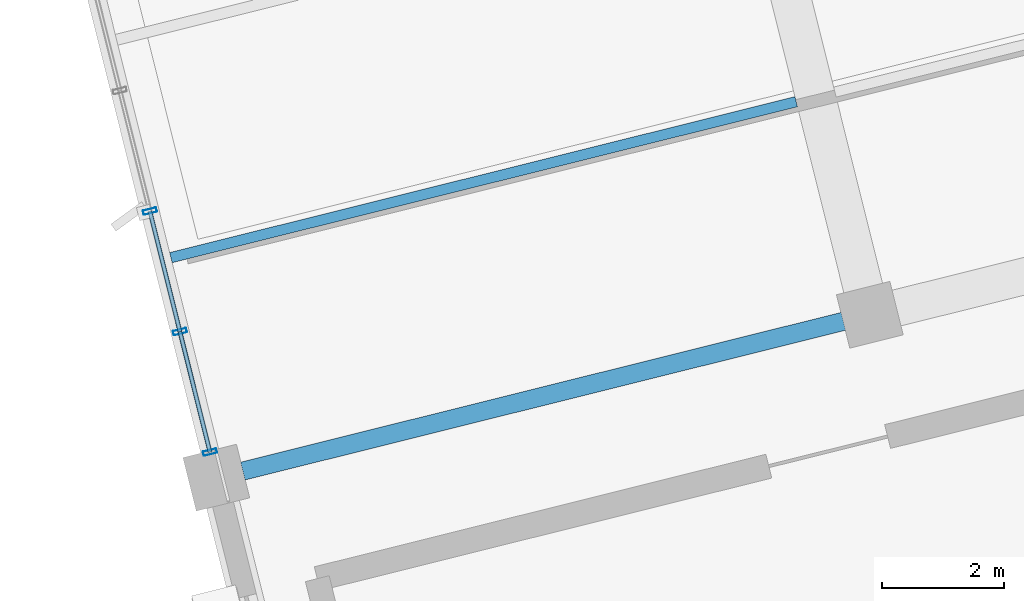
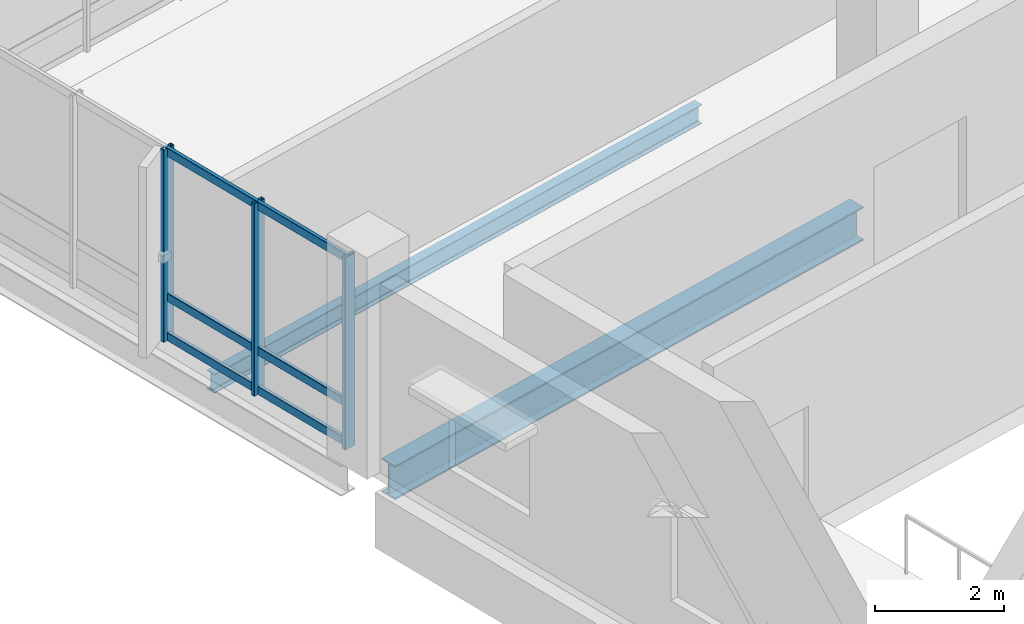
# One storey, part 2 of 22: 9 members, 2 beams, 1 element without a shape of its own.
"""IFC4 building model written with IfcOpenShell, lengths in metres."""

from ifc_helpers import new_model, si_unit, direction, frame, origin, origin_2d, place, context, subcontext, project, spatial, hollow_rectangle, i_section, extrude, material, layer, layer_set, material_profile, profile_set, type_object, element, aggregate, save


model = new_model("IFC4")

# Units and contexts
model_context = context("Model", 3, precision=1e-05, world=origin(), true_north=direction((0.0, 1.0)))
body_context = subcontext(model_context, "Body", "Model", "MODEL_VIEW")
ifc_project = project(units=[si_unit("LENGTHUNIT", "METRE"), si_unit("AREAUNIT", "SQUARE_METRE"), si_unit("VOLUMEUNIT", "CUBIC_METRE"), si_unit("PLANEANGLEUNIT", "RADIAN"), si_unit("MASSUNIT", "GRAM", prefix="KILO")], contexts=[model_context])

# Site, building, storey
site_placement = place(None, origin())
site = spatial("IfcSite", under=ifc_project, at=site_placement, CompositionType="ELEMENT")
building_placement = place(site_placement, origin())
building = spatial("IfcBuilding", under=site, at=building_placement, Name="Khorjan Park Terminus", CompositionType="ELEMENT")
storey_placement = place(building_placement, frame((0.0, 0.0, 24.6)))
storey = spatial("IfcBuildingStorey", under=building, at=storey_placement, Name="L05", CompositionType="ELEMENT", Elevation=24.6)

# Beams
ifc_material_1 = material(Name="Steel S355", Category="steel")
ifc_material_profile_1 = material_profile(ifc_material_1, i_section(OverallWidth=0.3, OverallDepth=0.64, WebThickness=0.0135, FlangeThickness=0.026, FilletRadius=0.027, at=origin_2d()), Name="HEA 650")
ifc_profile_set_1 = profile_set([ifc_material_profile_1], Name="Steel S355")
beam_type_1 = type_object("IfcBeamType", Name="BM-HEA650", PredefinedType="BEAM", material=ifc_profile_set_1)
beam_1_placement = place(storey_placement, frame((174.4439, 15.442, -0.65), z_axis=(0.970294168541, 0.241928143249, 0.0), x_axis=(-0.241928143249, 0.970294168541, 0.0)))
element("IfcBeam", 1, at=beam_1_placement, inside=storey, type_object=beam_type_1, Name="Primary skew-grid floor girder SB-A65 (L05)", PredefinedType="BEAM", context=body_context, shape_type="SweptSolid", body=[
    extrude(i_section(OverallWidth=0.3, OverallDepth=0.64, WebThickness=0.0135, FlangeThickness=0.026, FilletRadius=0.027, at=origin_2d()), origin(), (0.0, 0.0, 1.0), 10.11),
])
ifc_material_profile_2 = material_profile(ifc_material_1, i_section(OverallWidth=0.17, OverallDepth=0.36, WebThickness=0.008, FlangeThickness=0.0127, FilletRadius=0.018, at=origin_2d()), Name="IPE 360")
ifc_profile_set_2 = profile_set([ifc_material_profile_2], Name="Steel S355")
beam_type_2 = type_object("IfcBeamType", Name="JS-IPE360", PredefinedType="JOIST", material=ifc_profile_set_2)
beam_2_placement = place(storey_placement, frame((173.2706, 18.9285, -0.51), z_axis=(0.970296558074, 0.241918559415, 0.0), x_axis=(-0.241918559415, 0.970296558074, 0.0)))
element("IfcBeam", 2, at=beam_2_placement, inside=storey, type_object=beam_type_2, Name="Secondary composite floor joist SJ-36 (L05)", PredefinedType="JOIST", context=body_context, shape_type="SweptSolid", body=[
    extrude(i_section(OverallWidth=0.17, OverallDepth=0.36, WebThickness=0.008, FlangeThickness=0.0127, FilletRadius=0.018, at=origin_2d()), origin(), (0.0, 0.0, 1.0), 10.525),
])

# Curtain wall, members
ifc_material_2 = material(Name="Anodized Bronze Aluminium", Category="aluminium")
ifc_layer = layer(ifc_material_2, 0.22)
ifc_layer_set = layer_set([ifc_layer], Name="Anodized Bronze Aluminium")
curtain_wall_type = type_object("IfcCurtainWallType", Name="CW-OPS-B", PredefinedType="NOTDEFINED", material=ifc_layer_set)
curtain_wall_placement = place(storey_placement, origin())
curtain_wall = element("IfcCurtainWall", 3, at=curtain_wall_placement, inside=storey, type_object=curtain_wall_type, Name="Unitized curtain wall CW-B (CW-V5-W-L05-B01)", PredefinedType="NOTDEFINED")
ifc_material_profile_3 = material_profile(ifc_material_2, hollow_rectangle(XDim=0.075, YDim=0.225, WallThickness=0.005, InnerFilletRadius=0.005, OuterFilletRadius=0.01, at=origin_2d()), Name="ALM 75x225x5")
ifc_profile_set_3 = profile_set([ifc_material_profile_3], Name="Anodized Bronze Aluminium")
member_type_1 = type_object("IfcMemberType", Name="ML-ALM-225", PredefinedType="MULLION", material=ifc_profile_set_3)
member_1_placement = place(storey_placement, frame((172.9269, 19.6871, -0.035), z_axis=(0.0, 0.0, 1.0), x_axis=(0.241927656308, -0.970294289952, 0.0)))
member_1 = element("IfcMember", 4, at=member_1_placement, type_object=member_type_1, Name="Curtain-wall mullion ML-22 (CW-V5-W-L05-B01-3)", PredefinedType="MULLION", context=body_context, shape_type="SweptSolid", body=[
    extrude(hollow_rectangle(XDim=0.075, YDim=0.225, WallThickness=0.005, InnerFilletRadius=0.005, OuterFilletRadius=0.01, at=origin_2d()), origin(), (0.0, 0.0, 1.0), 3.645),
])
member_2_placement = place(storey_placement, frame((173.4175, 17.7192, -0.035), z_axis=(0.0, 0.0, 1.0), x_axis=(0.241927656308, -0.970294289952, 0.0)))
member_2 = element("IfcMember", 5, at=member_2_placement, type_object=member_type_1, Name="Curtain-wall mullion ML-22 (CW-V5-W-L05-B01-4)", PredefinedType="MULLION", context=body_context, shape_type="SweptSolid", body=[
    extrude(hollow_rectangle(XDim=0.075, YDim=0.225, WallThickness=0.005, InnerFilletRadius=0.005, OuterFilletRadius=0.01, at=origin_2d()), origin(), (0.0, 0.0, 1.0), 3.645),
])
member_3_placement = place(storey_placement, frame((173.9082, 15.7513, -0.035), z_axis=(0.0, 0.0, 1.0), x_axis=(0.241927656308, -0.970294289952, 0.0)))
member_3 = element("IfcMember", 6, at=member_3_placement, type_object=member_type_1, Name="Curtain-wall mullion ML-22 (CW-V5-W-L05-B01-5)", PredefinedType="MULLION", context=body_context, shape_type="SweptSolid", body=[
    extrude(hollow_rectangle(XDim=0.075, YDim=0.225, WallThickness=0.005, InnerFilletRadius=0.005, OuterFilletRadius=0.01, at=origin_2d()), origin(), (0.0, 0.0, 1.0), 3.645),
])
ifc_material_profile_4 = material_profile(ifc_material_2, hollow_rectangle(XDim=0.07, YDim=0.16, WallThickness=0.004, InnerFilletRadius=0.004, OuterFilletRadius=0.008, at=origin_2d()), Name="ALT 70x160x4")
ifc_profile_set_4 = profile_set([ifc_material_profile_4], Name="Anodized Bronze Aluminium")
member_type_2 = type_object("IfcMemberType", Name="TR-ALT-160", PredefinedType="USERDEFINED", material=ifc_profile_set_4)
member_4_placement = place(storey_placement, frame((172.9269, 19.6871, 0.04), z_axis=(0.241897488986, -0.970301811202, 0.0), x_axis=(0.970301811202, 0.241897488986, 0.0)))
member_4 = element("IfcMember", 7, at=member_4_placement, type_object=member_type_2, Name="Curtain-wall transom TR-16 (CW-V5-W-L05-B01-3-1)", ObjectType="TRANSOM", PredefinedType="USERDEFINED", context=body_context, shape_type="SweptSolid", body=[
    extrude(hollow_rectangle(XDim=0.07, YDim=0.16, WallThickness=0.004, InnerFilletRadius=0.004, OuterFilletRadius=0.008, at=origin_2d()), origin(), (0.0, 0.0, 1.0), 2.0281),
])
member_5_placement = place(storey_placement, frame((172.9269, 19.6871, 0.786), z_axis=(0.241897488986, -0.970301811202, 0.0), x_axis=(0.970301811202, 0.241897488986, 0.0)))
member_5 = element("IfcMember", 8, at=member_5_placement, type_object=member_type_2, Name="Curtain-wall transom TR-16 (CW-V5-W-L05-B01-3-2)", ObjectType="TRANSOM", PredefinedType="USERDEFINED", context=body_context, shape_type="SweptSolid", body=[
    extrude(hollow_rectangle(XDim=0.07, YDim=0.16, WallThickness=0.004, InnerFilletRadius=0.004, OuterFilletRadius=0.008, at=origin_2d()), origin(), (0.0, 0.0, 1.0), 2.0281),
])
member_6_placement = place(storey_placement, frame((172.9269, 19.6871, 3.535), z_axis=(0.241897488986, -0.970301811202, 0.0), x_axis=(0.970301811202, 0.241897488986, 0.0)))
member_6 = element("IfcMember", 9, at=member_6_placement, type_object=member_type_2, Name="Curtain-wall transom TR-16 (CW-V5-W-L05-B01-3-3)", ObjectType="TRANSOM", PredefinedType="USERDEFINED", context=body_context, shape_type="SweptSolid", body=[
    extrude(hollow_rectangle(XDim=0.07, YDim=0.16, WallThickness=0.004, InnerFilletRadius=0.004, OuterFilletRadius=0.008, at=origin_2d()), origin(), (0.0, 0.0, 1.0), 2.0281),
])
member_7_placement = place(storey_placement, frame((173.4175, 17.7192, 0.04), z_axis=(0.241943909477, -0.970290237335, 0.0), x_axis=(0.970290237335, 0.241943909477, 0.0)))
member_7 = element("IfcMember", 10, at=member_7_placement, type_object=member_type_2, Name="Curtain-wall transom TR-16 (CW-V5-W-L05-B01-4-1)", ObjectType="TRANSOM", PredefinedType="USERDEFINED", context=body_context, shape_type="SweptSolid", body=[
    extrude(hollow_rectangle(XDim=0.07, YDim=0.16, WallThickness=0.004, InnerFilletRadius=0.004, OuterFilletRadius=0.008, at=origin_2d()), origin(), (0.0, 0.0, 1.0), 2.0282),
])
member_8_placement = place(storey_placement, frame((173.4175, 17.7192, 0.786), z_axis=(0.241943909477, -0.970290237335, 0.0), x_axis=(0.970290237335, 0.241943909477, 0.0)))
member_8 = element("IfcMember", 11, at=member_8_placement, type_object=member_type_2, Name="Curtain-wall transom TR-16 (CW-V5-W-L05-B01-4-2)", ObjectType="TRANSOM", PredefinedType="USERDEFINED", context=body_context, shape_type="SweptSolid", body=[
    extrude(hollow_rectangle(XDim=0.07, YDim=0.16, WallThickness=0.004, InnerFilletRadius=0.004, OuterFilletRadius=0.008, at=origin_2d()), origin(), (0.0, 0.0, 1.0), 2.0282),
])
member_9_placement = place(storey_placement, frame((173.4175, 17.7192, 3.535), z_axis=(0.241943909477, -0.970290237335, 0.0), x_axis=(0.970290237335, 0.241943909477, 0.0)))
member_9 = element("IfcMember", 12, at=member_9_placement, type_object=member_type_2, Name="Curtain-wall transom TR-16 (CW-V5-W-L05-B01-4-3)", ObjectType="TRANSOM", PredefinedType="USERDEFINED", context=body_context, shape_type="SweptSolid", body=[
    extrude(hollow_rectangle(XDim=0.07, YDim=0.16, WallThickness=0.004, InnerFilletRadius=0.004, OuterFilletRadius=0.008, at=origin_2d()), origin(), (0.0, 0.0, 1.0), 2.0282),
])
aggregate(curtain_wall, [member_1, member_2, member_3, member_4, member_5, member_6, member_7, member_8, member_9])

save(model, "model.ifc")
